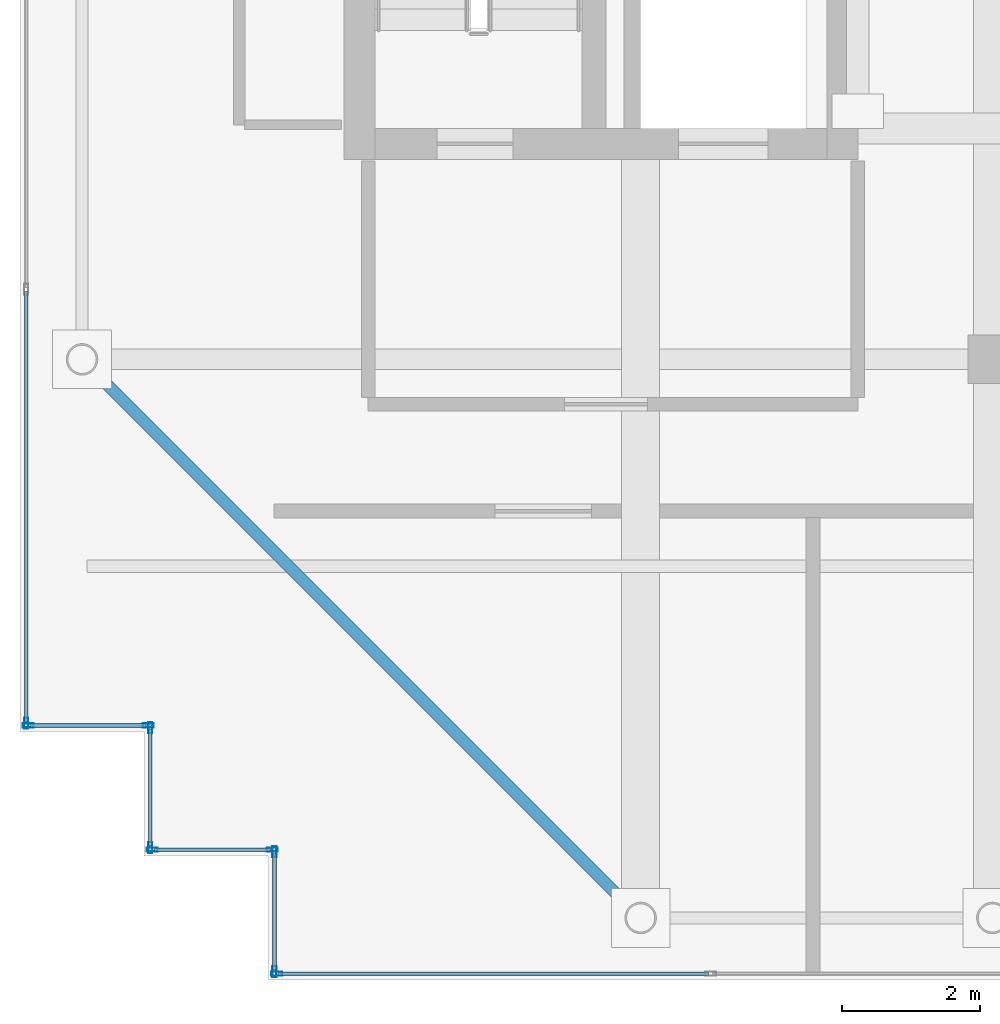
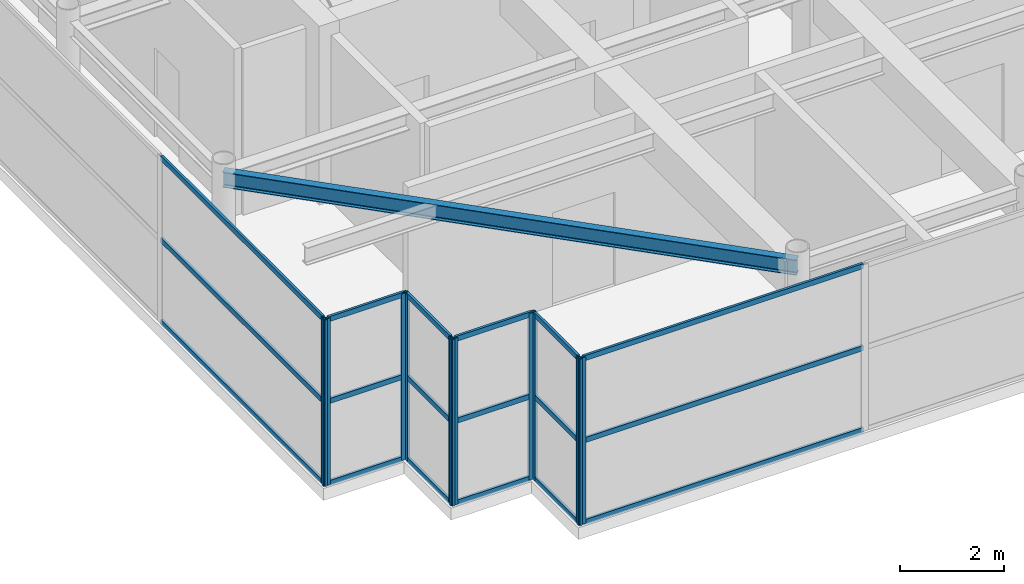
# One storey, part 2 of 32: 28 members, 1 beam, 6 elements without a shape of their own.
"""IFC4 building model written with IfcOpenShell, lengths in metres."""

from ifc_helpers import new_model, si_unit, direction, frame, origin, origin_2d, place, context, subcontext, project, spatial, hollow_rectangle, i_section, extrude, source, transform, mapped, material, layer, layer_set, material_profile, profile_set, type_object, element, aggregate, save


model = new_model("IFC4")

# Units and contexts
model_context = context("Model", 3, precision=1e-05, world=origin(), true_north=direction((0.0, 1.0)))
body_context = subcontext(model_context, "Body", "Model", "MODEL_VIEW")
ifc_project = project(units=[si_unit("LENGTHUNIT", "METRE"), si_unit("AREAUNIT", "SQUARE_METRE"), si_unit("VOLUMEUNIT", "CUBIC_METRE"), si_unit("PLANEANGLEUNIT", "RADIAN"), si_unit("MASSUNIT", "GRAM", prefix="KILO")], contexts=[model_context])

# Site, building, storey
site_placement = place(None, origin())
site = spatial("IfcSite", under=ifc_project, at=site_placement, CompositionType="ELEMENT")
building_placement = place(site_placement, origin())
building = spatial("IfcBuilding", under=site, at=building_placement, Name="Khoralis Quay Care Tower", CompositionType="ELEMENT")
storey_placement = place(building_placement, frame((0.0, 0.0, 293.699951171875)))
storey = spatial("IfcBuildingStorey", under=building, at=storey_placement, Name="L77", CompositionType="ELEMENT", Elevation=293.699951171875)

# Beam
ifc_material_1 = material(Name="Steel S355", Category="steel")
ifc_material_profile_1 = material_profile(ifc_material_1, i_section(OverallWidth=0.169921875, OverallDepth=0.360107421875, WebThickness=0.008056640625, FlangeThickness=0.0126953125, FilletRadius=0.01806640625, at=origin_2d()), Name="Steel S355")
ifc_profile_set_1 = profile_set([ifc_material_profile_1], Name="Steel S355")
beam_type = type_object("IfcBeamType", Name="BM-IPE360", PredefinedType="SPANDREL", material=ifc_profile_set_1)
shared_shape_1 = source(origin(), body_context, "Body", "SweptSolid", [
    extrude(i_section(OverallWidth=0.169921875, OverallDepth=0.360107421875, WebThickness=0.008056640625, FlangeThickness=0.0126953125, FilletRadius=0.01806640625, at=origin_2d()), origin(), (0.0, 0.0, 1.0), 11.455322265625),
])
beam_placement = place(storey_placement, frame((12.0, 3.89990234375, 3.739990234375), z_axis=(-0.707106781187, 0.707106781187, 0.0), x_axis=(-0.707106781187, -0.707106781187, 0.0)))
element("IfcBeam", 1, at=beam_placement, inside=storey, type_object=beam_type, Name="BM-TCR-L77-17", PredefinedType="SPANDREL", context=body_context, shape_type="MappedRepresentation", body=[
    mapped(shared_shape_1, transform((0.0, 0.0, 0.0), scale=1.0)),
])

# Curtain wall, member
ifc_material_2 = material(Name="Pale anodised aluminium", Category="aluminium")
ifc_layer = layer(ifc_material_2, 0.199951171875)
ifc_layer_set = layer_set([ifc_layer], Name="Pale anodised aluminium")
curtain_wall_type = type_object("IfcCurtainWallType", Name="CW-SYS-LANTERN", PredefinedType="NOTDEFINED", material=ifc_layer_set)
curtain_wall_1_placement = place(storey_placement, origin())
curtain_wall_1 = element("IfcCurtainWall", 2, at=curtain_wall_1_placement, inside=storey, type_object=curtain_wall_type, Name="L77 Unitised Curtain Wall CW-LN-L77-01", PredefinedType="NOTDEFINED")
ifc_material_profile_2 = material_profile(ifc_material_2, hollow_rectangle(XDim=0.06005859375, YDim=0.159912109375, WallThickness=0.00390625, at=origin_2d()), Name="Pale anodised aluminium")
ifc_profile_set_2 = profile_set([ifc_material_profile_2], Name="Pale anodised aluminium")
member_type_1 = type_object("IfcMemberType", Name="CW-MUL-160", PredefinedType="MULLION", material=ifc_profile_set_2)
shared_shape_2 = source(origin(), body_context, "Body", "SweptSolid", [
    extrude(hollow_rectangle(XDim=0.06005859375, YDim=0.159912109375, WallThickness=0.00390625, at=origin_2d()), origin(), (0.0, 0.0, 1.0), 3.920166015625),
])
member_1_placement = place(storey_placement, frame((6.719970703125, 3.090087890625, 0.0), z_axis=(0.0, 0.0, 1.0), x_axis=(0.0, 1.0, 0.0)))
member_1 = element("IfcMember", 3, at=member_1_placement, type_object=member_type_1, Name="CW5 mullion 1", PredefinedType="MULLION", context=body_context, shape_type="MappedRepresentation", body=[
    mapped(shared_shape_2, transform((0.0, 0.0, 0.0), scale=1.0)),
])

curtain_wall_2_placement = place(storey_placement, origin())
curtain_wall_2 = element("IfcCurtainWall", 4, at=curtain_wall_2_placement, inside=storey, type_object=curtain_wall_type, Name="L77 Unitised Curtain Wall CW-LN-L77-16", PredefinedType="NOTDEFINED")
member_2_placement = place(storey_placement, frame((3.090087890625, 6.719970703125, 0.0), z_axis=(0.0, 0.0, 1.0), x_axis=(1.0, 0.0, 0.0)))
member_2 = element("IfcMember", 5, at=member_2_placement, type_object=member_type_1, Name="CW5 mullion 6", PredefinedType="MULLION", context=body_context, shape_type="MappedRepresentation", body=[
    mapped(shared_shape_2, transform((0.0, 0.0, 0.0), scale=1.0)),
])

# Curtain wall, members
curtain_wall_3_placement = place(storey_placement, origin())
curtain_wall_3 = element("IfcCurtainWall", 6, at=curtain_wall_3_placement, inside=storey, type_object=curtain_wall_type, Name="L77 Unitised Curtain Wall CW-LN-L77-17", PredefinedType="NOTDEFINED")
member_3_placement = place(storey_placement, frame((3.1201171875, 6.68994140625, 0.0), z_axis=(0.0, 0.0, 1.0), x_axis=(0.0, 1.0, 0.0)))
member_3 = element("IfcMember", 7, at=member_3_placement, type_object=member_type_1, Name="CW5 mullion 1", PredefinedType="MULLION", context=body_context, shape_type="MappedRepresentation", body=[
    mapped(shared_shape_2, transform((0.0, 0.0, 0.0), scale=1.0)),
])
member_4_placement = place(storey_placement, frame((4.860107421875, 6.68994140625, 0.0), z_axis=(0.0, 0.0, 1.0), x_axis=(0.0, 1.0, 0.0)))
member_4 = element("IfcMember", 8, at=member_4_placement, type_object=member_type_1, Name="CW5 mullion 2", PredefinedType="MULLION", context=body_context, shape_type="MappedRepresentation", body=[
    mapped(shared_shape_2, transform((0.0, 0.0, 0.0), scale=1.0)),
])

curtain_wall_4_placement = place(storey_placement, origin())
curtain_wall_4 = element("IfcCurtainWall", 9, at=curtain_wall_4_placement, inside=storey, type_object=curtain_wall_type, Name="L77 Unitised Curtain Wall CW-LN-L77-18", PredefinedType="NOTDEFINED")
member_5_placement = place(storey_placement, frame((4.889892578125, 6.659912109375, 0.0), z_axis=(0.0, 0.0, 1.0), x_axis=(1.0, 0.0, 0.0)))
member_5 = element("IfcMember", 10, at=member_5_placement, type_object=member_type_1, Name="CW5 mullion 1", PredefinedType="MULLION", context=body_context, shape_type="MappedRepresentation", body=[
    mapped(shared_shape_2, transform((0.0, 0.0, 0.0), scale=1.0)),
])
member_6_placement = place(storey_placement, frame((4.889892578125, 4.919921875, 0.0), z_axis=(0.0, 0.0, 1.0), x_axis=(1.0, 0.0, 0.0)))
member_6 = element("IfcMember", 11, at=member_6_placement, type_object=member_type_1, Name="CW5 mullion 2", PredefinedType="MULLION", context=body_context, shape_type="MappedRepresentation", body=[
    mapped(shared_shape_2, transform((0.0, 0.0, 0.0), scale=1.0)),
])

curtain_wall_5_placement = place(storey_placement, origin())
curtain_wall_5 = element("IfcCurtainWall", 12, at=curtain_wall_5_placement, inside=storey, type_object=curtain_wall_type, Name="L77 Unitised Curtain Wall CW-LN-L77-19", PredefinedType="NOTDEFINED")
member_7_placement = place(storey_placement, frame((4.919921875, 4.889892578125, 0.0), z_axis=(0.0, 0.0, 1.0), x_axis=(0.0, 1.0, 0.0)))
member_7 = element("IfcMember", 13, at=member_7_placement, type_object=member_type_1, Name="CW5 mullion 1", PredefinedType="MULLION", context=body_context, shape_type="MappedRepresentation", body=[
    mapped(shared_shape_2, transform((0.0, 0.0, 0.0), scale=1.0)),
])
member_8_placement = place(storey_placement, frame((6.659912109375, 4.889892578125, 0.0), z_axis=(0.0, 0.0, 1.0), x_axis=(0.0, 1.0, 0.0)))
member_8 = element("IfcMember", 14, at=member_8_placement, type_object=member_type_1, Name="CW5 mullion 2", PredefinedType="MULLION", context=body_context, shape_type="MappedRepresentation", body=[
    mapped(shared_shape_2, transform((0.0, 0.0, 0.0), scale=1.0)),
])

curtain_wall_6_placement = place(storey_placement, origin())
curtain_wall_6 = element("IfcCurtainWall", 15, at=curtain_wall_6_placement, inside=storey, type_object=curtain_wall_type, Name="L77 Unitised Curtain Wall CW-LN-L77-20", PredefinedType="NOTDEFINED")
member_9_placement = place(storey_placement, frame((6.68994140625, 4.860107421875, 0.0), z_axis=(0.0, 0.0, 1.0), x_axis=(1.0, 0.0, 0.0)))
member_9 = element("IfcMember", 16, at=member_9_placement, type_object=member_type_1, Name="CW5 mullion 1", PredefinedType="MULLION", context=body_context, shape_type="MappedRepresentation", body=[
    mapped(shared_shape_2, transform((0.0, 0.0, 0.0), scale=1.0)),
])
member_10_placement = place(storey_placement, frame((6.68994140625, 3.1201171875, 0.0), z_axis=(0.0, 0.0, 1.0), x_axis=(1.0, 0.0, 0.0)))
member_10 = element("IfcMember", 17, at=member_10_placement, type_object=member_type_1, Name="CW5 mullion 2", PredefinedType="MULLION", context=body_context, shape_type="MappedRepresentation", body=[
    mapped(shared_shape_2, transform((0.0, 0.0, 0.0), scale=1.0)),
])

# Member
ifc_material_profile_3 = material_profile(ifc_material_2, hollow_rectangle(XDim=0.054931640625, YDim=0.1201171875, WallThickness=0.00390625, at=origin_2d()), Name="Pale anodised aluminium")
ifc_profile_set_3 = profile_set([ifc_material_profile_3], Name="Pale anodised aluminium")
member_type_2 = type_object("IfcMemberType", Name="CW-TRN-120", PredefinedType="USERDEFINED", material=ifc_profile_set_3)
shared_shape_3 = source(origin(), body_context, "Body", "SweptSolid", [
    extrude(hollow_rectangle(XDim=0.054931640625, YDim=0.1201171875, WallThickness=0.00390625, at=origin_2d()), origin(), (0.0, 0.0, 1.0), 6.23388671875),
])
member_11_placement = place(storey_placement, frame((6.75, 3.090087890625, 0.030029296875), z_axis=(1.0, 0.0, 0.0), x_axis=(0.0, 1.0, 0.0)))
member_11 = element("IfcMember", 18, at=member_11_placement, type_object=member_type_2, Name="CW5 transom 1.1", ObjectType="TRANSOM", PredefinedType="USERDEFINED", context=body_context, shape_type="MappedRepresentation", body=[
    mapped(shared_shape_3, transform((0.0, 0.0, 0.0), scale=1.0)),
])

member_12_placement = place(storey_placement, frame((6.75, 3.090087890625, 1.9599609375), z_axis=(1.0, 0.0, 0.0), x_axis=(0.0, 1.0, 0.0)))
member_12 = element("IfcMember", 19, at=member_12_placement, type_object=member_type_2, Name="CW5 transom 1.2", ObjectType="TRANSOM", PredefinedType="USERDEFINED", context=body_context, shape_type="MappedRepresentation", body=[
    mapped(shared_shape_3, transform((0.0, 0.0, 0.0), scale=1.0)),
])

member_13_placement = place(storey_placement, frame((6.75, 3.090087890625, 3.89013671875), z_axis=(1.0, 0.0, 0.0), x_axis=(0.0, 1.0, 0.0)))
member_13 = element("IfcMember", 20, at=member_13_placement, type_object=member_type_2, Name="CW5 transom 1.3", ObjectType="TRANSOM", PredefinedType="USERDEFINED", context=body_context, shape_type="MappedRepresentation", body=[
    mapped(shared_shape_3, transform((0.0, 0.0, 0.0), scale=1.0)),
])

aggregate(curtain_wall_1, [member_1, member_11, member_12, member_13])

member_14_placement = place(storey_placement, frame((3.090087890625, 12.98388671875, 0.030029296875), z_axis=(0.0, -1.0, 0.0), x_axis=(1.0, 0.0, 0.0)))
member_14 = element("IfcMember", 21, at=member_14_placement, type_object=member_type_2, Name="CW5 transom 5.1", ObjectType="TRANSOM", PredefinedType="USERDEFINED", context=body_context, shape_type="MappedRepresentation", body=[
    mapped(shared_shape_3, transform((0.0, 0.0, 0.0), scale=1.0)),
])

member_15_placement = place(storey_placement, frame((3.090087890625, 12.98388671875, 1.9599609375), z_axis=(0.0, -1.0, 0.0), x_axis=(1.0, 0.0, 0.0)))
member_15 = element("IfcMember", 22, at=member_15_placement, type_object=member_type_2, Name="CW5 transom 5.2", ObjectType="TRANSOM", PredefinedType="USERDEFINED", context=body_context, shape_type="MappedRepresentation", body=[
    mapped(shared_shape_3, transform((0.0, 0.0, 0.0), scale=1.0)),
])

member_16_placement = place(storey_placement, frame((3.090087890625, 12.98388671875, 3.89013671875), z_axis=(0.0, -1.0, 0.0), x_axis=(1.0, 0.0, 0.0)))
member_16 = element("IfcMember", 23, at=member_16_placement, type_object=member_type_2, Name="CW5 transom 5.3", ObjectType="TRANSOM", PredefinedType="USERDEFINED", context=body_context, shape_type="MappedRepresentation", body=[
    mapped(shared_shape_3, transform((0.0, 0.0, 0.0), scale=1.0)),
])

aggregate(curtain_wall_2, [member_2, member_14, member_15, member_16])

shared_shape_4 = source(origin(), body_context, "Body", "SweptSolid", [
    extrude(hollow_rectangle(XDim=0.054931640625, YDim=0.1201171875, WallThickness=0.00390625, at=origin_2d()), origin(), (0.0, 0.0, 1.0), 1.68017578125),
])
member_17_placement = place(storey_placement, frame((3.14990234375, 6.68994140625, 0.030029296875), z_axis=(1.0, 0.0, 0.0), x_axis=(0.0, 1.0, 0.0)))
member_17 = element("IfcMember", 24, at=member_17_placement, type_object=member_type_2, Name="CW5 transom 1.1", ObjectType="TRANSOM", PredefinedType="USERDEFINED", context=body_context, shape_type="MappedRepresentation", body=[
    mapped(shared_shape_4, transform((0.0, 0.0, 0.0), scale=1.0)),
])

member_18_placement = place(storey_placement, frame((3.14990234375, 6.68994140625, 1.9599609375), z_axis=(1.0, 0.0, 0.0), x_axis=(0.0, 1.0, 0.0)))
member_18 = element("IfcMember", 25, at=member_18_placement, type_object=member_type_2, Name="CW5 transom 1.2", ObjectType="TRANSOM", PredefinedType="USERDEFINED", context=body_context, shape_type="MappedRepresentation", body=[
    mapped(shared_shape_4, transform((0.0, 0.0, 0.0), scale=1.0)),
])

member_19_placement = place(storey_placement, frame((3.14990234375, 6.68994140625, 3.89013671875), z_axis=(1.0, 0.0, 0.0), x_axis=(0.0, 1.0, 0.0)))
member_19 = element("IfcMember", 26, at=member_19_placement, type_object=member_type_2, Name="CW5 transom 1.3", ObjectType="TRANSOM", PredefinedType="USERDEFINED", context=body_context, shape_type="MappedRepresentation", body=[
    mapped(shared_shape_4, transform((0.0, 0.0, 0.0), scale=1.0)),
])

aggregate(curtain_wall_3, [member_3, member_4, member_17, member_18, member_19])

member_20_placement = place(storey_placement, frame((6.68994140625, 4.830078125, 0.030029296875), z_axis=(0.0, -1.0, 0.0), x_axis=(1.0, 0.0, 0.0)))
member_20 = element("IfcMember", 27, at=member_20_placement, type_object=member_type_2, Name="CW5 transom 1.1", ObjectType="TRANSOM", PredefinedType="USERDEFINED", context=body_context, shape_type="MappedRepresentation", body=[
    mapped(shared_shape_4, transform((0.0, 0.0, 0.0), scale=1.0)),
])

member_21_placement = place(storey_placement, frame((6.68994140625, 4.830078125, 1.9599609375), z_axis=(0.0, -1.0, 0.0), x_axis=(1.0, 0.0, 0.0)))
member_21 = element("IfcMember", 28, at=member_21_placement, type_object=member_type_2, Name="CW5 transom 1.2", ObjectType="TRANSOM", PredefinedType="USERDEFINED", context=body_context, shape_type="MappedRepresentation", body=[
    mapped(shared_shape_4, transform((0.0, 0.0, 0.0), scale=1.0)),
])

member_22_placement = place(storey_placement, frame((6.68994140625, 4.830078125, 3.89013671875), z_axis=(0.0, -1.0, 0.0), x_axis=(1.0, 0.0, 0.0)))
member_22 = element("IfcMember", 29, at=member_22_placement, type_object=member_type_2, Name="CW5 transom 1.3", ObjectType="TRANSOM", PredefinedType="USERDEFINED", context=body_context, shape_type="MappedRepresentation", body=[
    mapped(shared_shape_4, transform((0.0, 0.0, 0.0), scale=1.0)),
])

aggregate(curtain_wall_6, [member_9, member_10, member_20, member_21, member_22])

shared_shape_5 = source(origin(), body_context, "Body", "SweptSolid", [
    extrude(hollow_rectangle(XDim=0.054931640625, YDim=0.1201171875, WallThickness=0.00390625, at=origin_2d()), origin(), (0.0, 0.0, 1.0), 1.679931640625),
])
member_23_placement = place(storey_placement, frame((4.889892578125, 6.6298828125, 0.030029296875), z_axis=(0.0, -1.0, 0.0), x_axis=(1.0, 0.0, 0.0)))
member_23 = element("IfcMember", 30, at=member_23_placement, type_object=member_type_2, Name="CW5 transom 1.1", ObjectType="TRANSOM", PredefinedType="USERDEFINED", context=body_context, shape_type="MappedRepresentation", body=[
    mapped(shared_shape_5, transform((0.0, 0.0, 0.0), scale=1.0)),
])

member_24_placement = place(storey_placement, frame((4.889892578125, 6.6298828125, 1.9599609375), z_axis=(0.0, -1.0, 0.0), x_axis=(1.0, 0.0, 0.0)))
member_24 = element("IfcMember", 31, at=member_24_placement, type_object=member_type_2, Name="CW5 transom 1.2", ObjectType="TRANSOM", PredefinedType="USERDEFINED", context=body_context, shape_type="MappedRepresentation", body=[
    mapped(shared_shape_5, transform((0.0, 0.0, 0.0), scale=1.0)),
])

member_25_placement = place(storey_placement, frame((4.889892578125, 6.6298828125, 3.89013671875), z_axis=(0.0, -1.0, 0.0), x_axis=(1.0, 0.0, 0.0)))
member_25 = element("IfcMember", 32, at=member_25_placement, type_object=member_type_2, Name="CW5 transom 1.3", ObjectType="TRANSOM", PredefinedType="USERDEFINED", context=body_context, shape_type="MappedRepresentation", body=[
    mapped(shared_shape_5, transform((0.0, 0.0, 0.0), scale=1.0)),
])

aggregate(curtain_wall_4, [member_5, member_6, member_23, member_24, member_25])

member_26_placement = place(storey_placement, frame((4.949951171875, 4.889892578125, 0.030029296875), z_axis=(1.0, 0.0, 0.0), x_axis=(0.0, 1.0, 0.0)))
member_26 = element("IfcMember", 33, at=member_26_placement, type_object=member_type_2, Name="CW5 transom 1.1", ObjectType="TRANSOM", PredefinedType="USERDEFINED", context=body_context, shape_type="MappedRepresentation", body=[
    mapped(shared_shape_5, transform((0.0, 0.0, 0.0), scale=1.0)),
])

member_27_placement = place(storey_placement, frame((4.949951171875, 4.889892578125, 1.9599609375), z_axis=(1.0, 0.0, 0.0), x_axis=(0.0, 1.0, 0.0)))
member_27 = element("IfcMember", 34, at=member_27_placement, type_object=member_type_2, Name="CW5 transom 1.2", ObjectType="TRANSOM", PredefinedType="USERDEFINED", context=body_context, shape_type="MappedRepresentation", body=[
    mapped(shared_shape_5, transform((0.0, 0.0, 0.0), scale=1.0)),
])

member_28_placement = place(storey_placement, frame((4.949951171875, 4.889892578125, 3.89013671875), z_axis=(1.0, 0.0, 0.0), x_axis=(0.0, 1.0, 0.0)))
member_28 = element("IfcMember", 35, at=member_28_placement, type_object=member_type_2, Name="CW5 transom 1.3", ObjectType="TRANSOM", PredefinedType="USERDEFINED", context=body_context, shape_type="MappedRepresentation", body=[
    mapped(shared_shape_5, transform((0.0, 0.0, 0.0), scale=1.0)),
])

aggregate(curtain_wall_5, [member_7, member_8, member_26, member_27, member_28])

save(model, "model.ifc")
